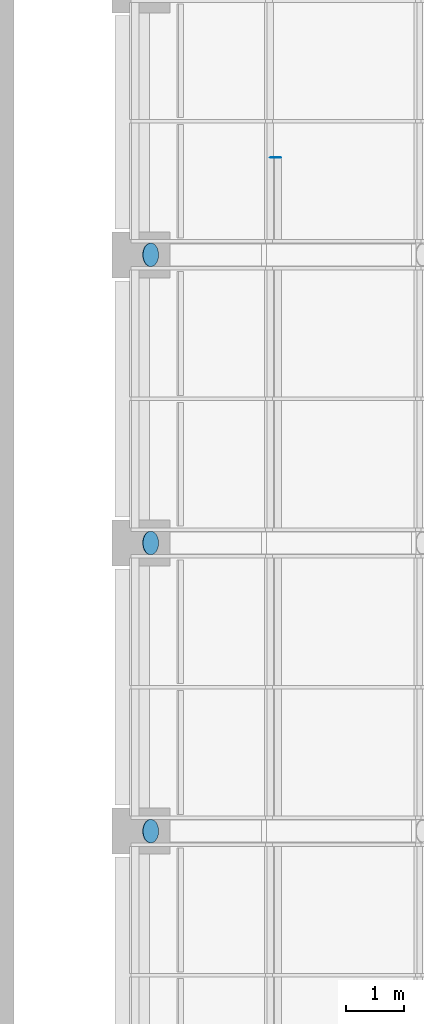
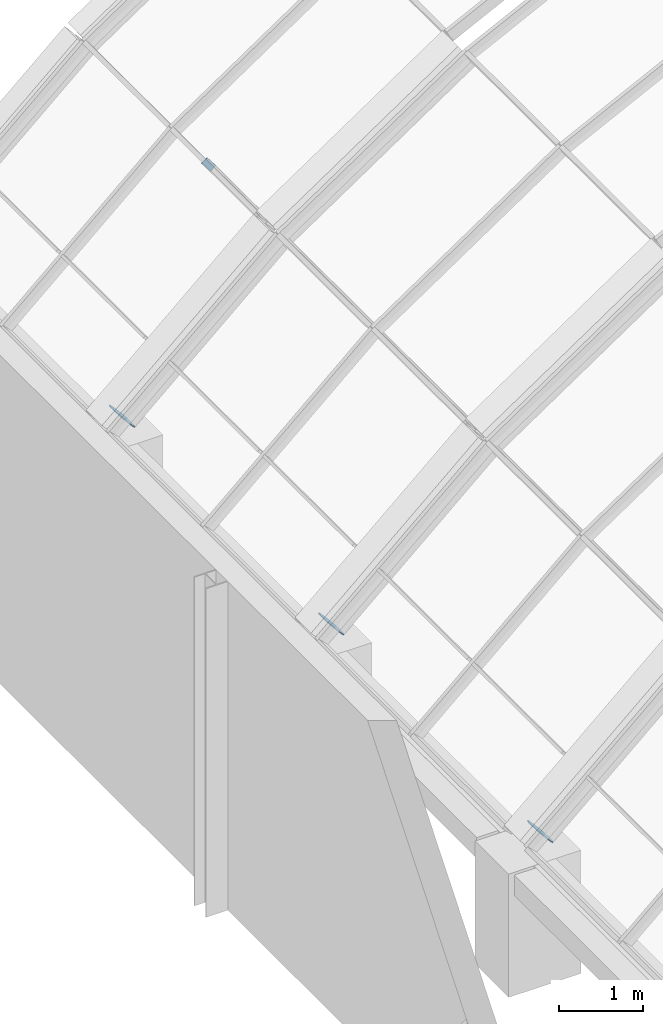
# One storey, part 166 of 182: 4 discrete accessories.
"""IFC4 building model written with IfcOpenShell, lengths in metres."""

from ifc_helpers import new_model, si_unit, direction, frame, origin, origin_2d, place, context, subcontext, project, spatial, rectangle, circle, extrude, material, layer, layer_set, type_object, element, save


model = new_model("IFC4")

# Units and contexts
model_context = context("Model", 3, precision=1e-05, world=origin(), true_north=direction((0.0, 1.0)))
body_context = subcontext(model_context, "Body", "Model", "MODEL_VIEW")
ifc_project = project(units=[si_unit("LENGTHUNIT", "METRE"), si_unit("AREAUNIT", "SQUARE_METRE"), si_unit("VOLUMEUNIT", "CUBIC_METRE"), si_unit("PLANEANGLEUNIT", "RADIAN"), si_unit("MASSUNIT", "GRAM", prefix="KILO")], contexts=[model_context])

# Site, building, storey
site_placement = place(None, origin())
site = spatial("IfcSite", under=ifc_project, at=site_placement, CompositionType="ELEMENT")
building_placement = place(site_placement, origin())
building = spatial("IfcBuilding", under=site, at=building_placement, Name="Okhra Congress Centre", CompositionType="ELEMENT")
storey_placement = place(building_placement, frame((0.0, 0.0, 7.199951171875)))
storey = spatial("IfcBuildingStorey", under=building, at=storey_placement, Name="L01", CompositionType="ELEMENT", Elevation=7.199951171875)

# Discrete accessories
ifc_material = material(Name="Steel S355J2", Category="steel")
ifc_layer = layer(ifc_material, 0.011962890625)
ifc_layer_set = layer_set([ifc_layer], Name="Hollow section end cap 12 mm S355")
discrete_accessory_type = type_object("IfcDiscreteAccessoryType", Name="Hollow section end cap 12 mm S355", PredefinedType="BRACKET", material=ifc_layer_set)
for number, where, z_axis, x_axis, name in (
    (1, (155.67138671875, 201.0, 1.9521484375), (-0.746295434469, 0.0, -0.665614846958), (0.0, -1.0, 0.0), "Hollow section end cap"),
    (2, (155.67138671875, 206.0, 1.9521484375), (-0.746295434469, 0.0, -0.665614846958), (0.0, -1.0, 0.0), "Hollow section end cap"),
    (3, (155.67138671875, 211.0, 1.9521484375), (-0.746295434469, 0.0, -0.665614846958), (0.0, -1.0, 0.0), "Hollow section end cap"),
):
    element("IfcDiscreteAccessory", number, at=place(storey_placement, frame(where, z_axis=z_axis, x_axis=x_axis)), inside=storey, type_object=discrete_accessory_type, Name=name, PredefinedType="BRACKET", context=body_context, shape_type="SweptSolid", body=[
        extrude(circle(Radius=0.203125, at=origin_2d()), origin(), (0.0, 0.0, 1.0), 0.01220703125),
    ])
discrete_accessory_placement = place(storey_placement, frame((157.837158203125, 212.682861328125, 3.84033203125), z_axis=(0.0, 1.0, 0.0), x_axis=(-0.790145035185, 0.0, -0.612919915954)))
element("IfcDiscreteAccessory", 4, at=discrete_accessory_placement, inside=storey, type_object=discrete_accessory_type, Name="Hollow section end cap", PredefinedType="BRACKET", context=body_context, shape_type="SweptSolid", body=[
    extrude(rectangle(XDim=0.10009765625, YDim=0.199951171875, at=origin_2d()), origin(), (0.0, 0.0, 1.0), 0.01220703125),
])

save(model, "model.ifc")
